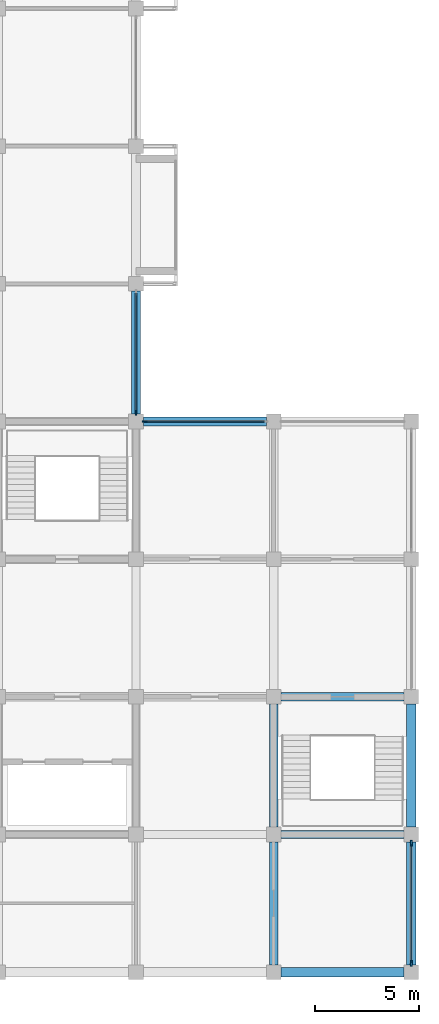
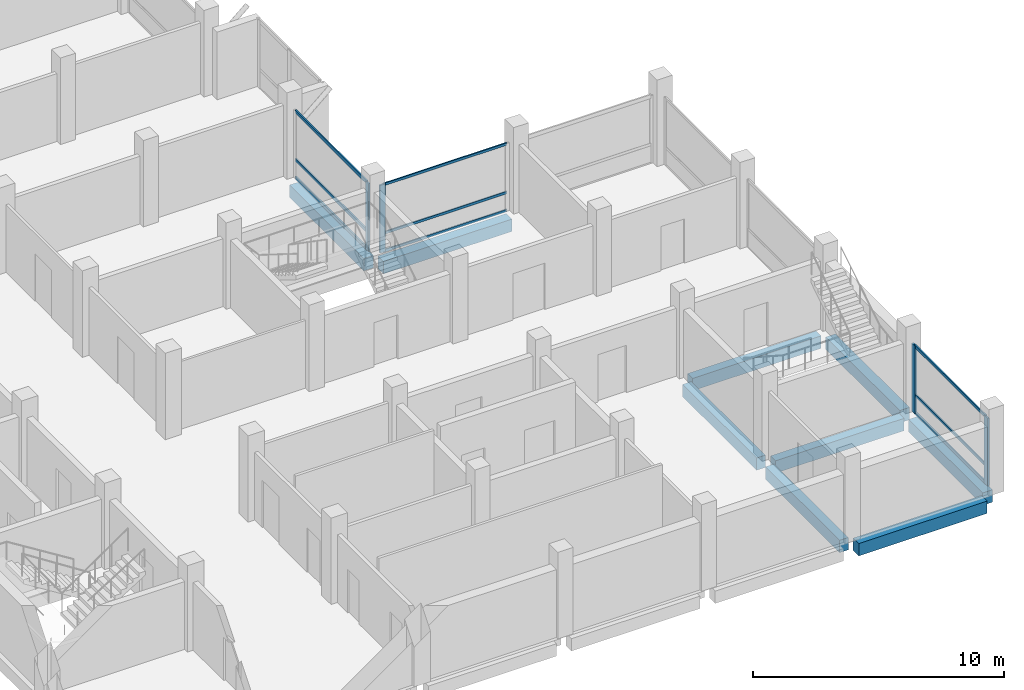
# One storey, part 2 of 10: 13 members, 9 beams, 3 elements without a shape of their own.
"""IFC4 building model written with IfcOpenShell, lengths in metres."""

import ifcopenshell
import ifcopenshell.guid

model = None  # the IFC model being written
_history = None  # IfcOwnerHistory: only IFC2X3 demands one
_inside = {}  # id of a spatial element -> (the spatial element, [elements in it])
_under = {}  # id of a project, library or spatial element -> (it, [spatial elements below it])
_declared = {}  # id of a project -> (the project, [libraries it declares])
_typed = {}  # id of a type object -> (the type object, [elements of that type])
_made_of = {}  # id of a material, layer set ... -> (it, [elements and type objects made of it])


def new_model(schema):
    """Start an empty IFC model of exactly this schema.

    Asked for "IFC4X3", IfcOpenShell would pick the latest addendum, in which some entities
    have other attributes; the version numbers below select the first issue.
    IFC2X3 requires an IfcOwnerHistory on every rooted entity: one is made here for all.
    """
    global model, _history
    if schema == "IFC4X3":
        model = ifcopenshell.file(schema_version=(4, 3, 0, 0))
    else:
        model = ifcopenshell.file(schema=schema)
    _inside.clear()
    _under.clear()
    _declared.clear()
    _typed.clear()
    _made_of.clear()
    _history = None
    if model.schema == "IFC2X3":
        org = make("IfcOrganization", Name="unknown")
        user = make(
            "IfcPersonAndOrganization",
            ThePerson=make("IfcPerson", FamilyName="unknown"),
            TheOrganization=org,
        )
        app = make(
            "IfcApplication",
            ApplicationDeveloper=org,
            Version="unknown",
            ApplicationFullName="unknown",
            ApplicationIdentifier="unknown",
        )
        _history = make(
            "IfcOwnerHistory",
            OwningUser=user,
            OwningApplication=app,
            ChangeAction="ADDED",
            CreationDate=0,
        )
    return model


def make(cls, **values):
    """One entity of the class cls with the attributes given. An attribute that is None is left unset."""
    return model.create_entity(
        cls, **{name: value for name, value in values.items() if value is not None}
    )


def rooted(cls, **values):
    """An entity with a GlobalId (a new one), such as an element, a storey or a relation."""
    return make(cls, GlobalId=ifcopenshell.guid.new(), OwnerHistory=_history, **values)


def si_unit(unit_type, name, prefix=None):
    """IfcSIUnit, for example si_unit("LENGTHUNIT", "METRE", prefix="MILLI")."""
    return make("IfcSIUnit", UnitType=unit_type, Prefix=prefix, Name=name)


def assignment(units):
    """IfcUnitAssignment: the units of a project."""
    return None if units is None else make("IfcUnitAssignment", Units=units)


def point(xyz):
    """IfcCartesianPoint."""
    return None if xyz is None else make("IfcCartesianPoint", Coordinates=xyz)


def direction(xyz):
    """IfcDirection."""
    return None if xyz is None else make("IfcDirection", DirectionRatios=xyz)


def frame(location, z_axis=None, x_axis=None):
    """IfcAxis2Placement3D, a coordinate frame: its origin and axes. An axis left out is left unset."""
    return make(
        "IfcAxis2Placement3D",
        Location=point(location),
        Axis=direction(z_axis),
        RefDirection=direction(x_axis),
    )


def frame_2d(location, x_axis=None):
    """IfcAxis2Placement2D, a coordinate frame in the plane: its origin and x axis."""
    return make(
        "IfcAxis2Placement2D", Location=point(location), RefDirection=direction(x_axis)
    )


def origin():
    """The frame at (0, 0, 0) with its axes left unset."""
    return frame((0.0, 0.0, 0.0))


def origin_2d():
    """The frame at (0, 0) in the plane with its x axis left unset."""
    return frame_2d((0.0, 0.0))


def place(relative_to, where):
    """IfcLocalPlacement: puts the frame where relative to a parent placement (None: the world)."""
    return make(
        "IfcLocalPlacement", PlacementRelTo=relative_to, RelativePlacement=where
    )


def context(
    kind, dimensions, precision=None, world=None, true_north=None, identifier=None
):
    """IfcGeometricRepresentationContext, for example the 3D "Model" context."""
    return make(
        "IfcGeometricRepresentationContext",
        ContextIdentifier=identifier,
        ContextType=kind,
        CoordinateSpaceDimension=dimensions,
        Precision=precision,
        WorldCoordinateSystem=world,
        TrueNorth=true_north,
    )


def subcontext(parent, identifier, kind, view, scale=None):
    """IfcGeometricRepresentationSubContext, for example "Body" below "Model"."""
    return make(
        "IfcGeometricRepresentationSubContext",
        ContextIdentifier=identifier,
        ContextType=kind,
        ParentContext=parent,
        TargetScale=scale,
        TargetView=view,
    )


def project(units=None, contexts=None):
    """IfcProject with its units and contexts."""
    return rooted(
        "IfcProject",
        Name="project",
        RepresentationContexts=contexts,
        UnitsInContext=assignment(units),
    )


def spatial(cls, under=None, at=None, **own):
    """A site, building, storey or space (cls), placed at a placement, below another one or the project."""
    s = rooted(cls, ObjectPlacement=at, **own)
    if under is not None:
        _under.setdefault(under.id(), (under, []))[1].append(s)
    return s


def profile(cls, at=None, kind="AREA", **sizes):
    """A parametric profile (cls). Its sizes go by their IFC names, for example OverallWidth=200.0."""
    return make(cls, ProfileType=kind, Position=at, **sizes)


def rectangle(**sizes):
    """IfcRectangleProfileDef."""
    return profile("IfcRectangleProfileDef", **sizes)


def extrude(swept, where, along, depth):
    """IfcExtrudedAreaSolid: the profile swept, set in the frame where, extruded along a direction by depth."""
    return make(
        "IfcExtrudedAreaSolid",
        SweptArea=swept,
        Position=where,
        ExtrudedDirection=direction(along),
        Depth=depth,
    )


def shape(context_of_items, identifier, shape_type, items):
    """IfcShapeRepresentation: the items that make up one representation, for example the "Body"."""
    return make(
        "IfcShapeRepresentation",
        ContextOfItems=context_of_items,
        RepresentationIdentifier=identifier,
        RepresentationType=shape_type,
        Items=items,
    )


def material(Name=None, Category=None):
    """IfcMaterial."""
    return make("IfcMaterial", Name=Name, Category=Category)


def material_profile(
    of_material, cross_section, Name=None, Category=None, Priority=None
):
    """IfcMaterialProfile: a cross section and its material."""
    return make(
        "IfcMaterialProfile",
        Name=Name,
        Material=of_material,
        Profile=cross_section,
        Priority=Priority,
        Category=Category,
    )


def profile_set(profiles, Name=None, composite=None):
    """IfcMaterialProfileSet."""
    return make(
        "IfcMaterialProfileSet",
        Name=Name,
        MaterialProfiles=profiles,
        CompositeProfile=composite,
    )


def made_of(thing, what):
    """Note that an element or type object is made of a material, layer set ...; save() writes the relation."""
    if what is not None:
        _made_of.setdefault(what.id(), (what, []))[1].append(thing)
    return thing


def type_object(cls, material=None, **own):
    """A type object (cls), such as IfcWallType, which elements share."""
    return made_of(rooted(cls, **own), material)


def element(
    cls,
    number,
    at=None,
    inside=None,
    cuts=None,
    type_object=None,
    material=None,
    context=None,
    identifier="Body",
    shape_type=None,
    held_by="IfcProductDefinitionShape",
    body=None,
    shapes=None,
    **own,
):
    """One element of the class cls, such as IfcWall. Its Tag is "e" and its number.

    at: its placement. inside: the storey or other place that contains it. cuts: it is an
    opening in that element (IfcRelVoidsElement). A single representation is given by context,
    identifier, shape_type and body (its items); several are given by shapes. held_by: the class
    of the entity that holds the representations. save() writes the other relations.
    """
    e = rooted(cls, Tag="e%d" % number, ObjectPlacement=at, **own)
    if body is not None:
        shapes = [shape(context, identifier, shape_type, body)]
    if shapes is not None:
        e.Representation = make(held_by, Representations=shapes)
    if inside is not None:
        _inside.setdefault(inside.id(), (inside, []))[1].append(e)
    if cuts is not None:
        rooted(
            "IfcRelVoidsElement", RelatingBuildingElement=cuts, RelatedOpeningElement=e
        )
    if type_object is not None:
        _typed.setdefault(type_object.id(), (type_object, []))[1].append(e)
    return made_of(e, material)


def aggregate(whole, parts):
    """IfcRelAggregates: a whole, such as a stair, and the parts it consists of."""
    return rooted("IfcRelAggregates", RelatingObject=whole, RelatedObjects=parts)


def save(model, path):
    """Write the relations noted so far, then the file.

    IfcRelAggregates (storeys below a building ...), IfcRelContainedInSpatialStructure (elements
    in a storey), IfcRelDefinesByType, IfcRelAssociatesMaterial and IfcRelDeclares: one each for
    every whole, place, type object, material and project.
    """
    for whole, parts in _under.values():
        aggregate(whole, parts)
    for where, things in _inside.values():
        rooted(
            "IfcRelContainedInSpatialStructure",
            RelatedElements=things,
            RelatingStructure=where,
        )
    for kind, things in _typed.values():
        rooted("IfcRelDefinesByType", RelatedObjects=things, RelatingType=kind)
    for what, things in _made_of.values():
        rooted("IfcRelAssociatesMaterial", RelatedObjects=things, RelatingMaterial=what)
    for by, libraries in _declared.values():
        rooted("IfcRelDeclares", RelatingContext=by, RelatedDefinitions=libraries)
    model.write(path)


model = new_model("IFC4")

# Units and contexts
model_context = context("Model", 3, precision=1e-05, world=origin(), true_north=direction((0.0, 1.0)))
body_context = subcontext(model_context, "Body", "Model", "MODEL_VIEW")
ifc_project = project(units=[si_unit("LENGTHUNIT", "METRE"), si_unit("AREAUNIT", "SQUARE_METRE"), si_unit("VOLUMEUNIT", "CUBIC_METRE"), si_unit("PLANEANGLEUNIT", "RADIAN"), si_unit("MASSUNIT", "GRAM", prefix="KILO")], contexts=[model_context])

# Site, building, storey
site_placement = place(None, origin())
site = spatial("IfcSite", under=ifc_project, at=site_placement, CompositionType="ELEMENT")
building_placement = place(site_placement, origin())
building = spatial("IfcBuilding", under=site, at=building_placement, Name="Rusizi Kubbe Research Institute", CompositionType="ELEMENT")
storey_placement = place(building_placement, frame((0.0, 0.0, 48.0)))
storey = spatial("IfcBuildingStorey", under=building, at=storey_placement, Name="L11", CompositionType="ELEMENT", Elevation=48.0)

# Beams
ifc_material_1 = material(Name="Concrete C40/50", Category="concrete")
ifc_material_profile_1 = material_profile(ifc_material_1, rectangle(XDim=0.39990234375, YDim=0.60009765625, at=origin_2d()), Name="RC400x600")
ifc_profile_set_1 = profile_set([ifc_material_profile_1], Name="Concrete C40/50")
beam_type_1 = type_object("IfcBeamType", Name="BM-RC400x600", PredefinedType="BEAM", material=ifc_profile_set_1)
for number, where, z_axis, x_axis, name in (
    (1, (33.35009765625, 6.60009765625, -0.610107421875), (1.0, 0.0, 0.0), (0.0, 1.0, 0.0), "Grid Beam H L11 (5,1)"),
    (2, (33.35009765625, 13.199951171875, -0.610107421875), (1.0, 0.0, 0.0), (0.0, 1.0, 0.0), "Grid Beam H L11 (5,2)"),
    (3, (33.0, 0.35009765625, -0.610107421875), (0.0, 1.0, 0.0), (-1.0, 0.0, 0.0), "Grid Beam V L11 (5,0)"),
):
    element("IfcBeam", number, at=place(storey_placement, frame(where, z_axis=z_axis, x_axis=x_axis)), inside=storey, type_object=beam_type_1, Name=name, PredefinedType="BEAM", context=body_context, shape_type="SweptSolid", body=[
        extrude(rectangle(XDim=0.39990234375, YDim=0.60009765625, at=origin_2d()), origin(), (0.0, 0.0, 1.0), 5.89990234375),
    ])
beam_1_placement = place(storey_placement, frame((33.0, 6.949951171875, -0.610107421875), z_axis=(0.0, 1.0, 0.0), x_axis=(-1.0, 0.0, 0.0)))
element("IfcBeam", 4, at=beam_1_placement, inside=storey, type_object=beam_type_1, Name="Grid Beam V L11 (5,1)", PredefinedType="BEAM", context=body_context, shape_type="SweptSolid", body=[
    extrude(rectangle(XDim=0.39990234375, YDim=0.60009765625, at=origin_2d()), origin(), (0.0, 0.0, 1.0), 5.900146484375),
])
ifc_material_2 = material(Name="Concrete C40/50", Category="concrete")
ifc_material_profile_2 = material_profile(ifc_material_2, rectangle(XDim=0.449951171875, YDim=0.60009765625, at=origin_2d()), Name="RC450x600")
ifc_profile_set_2 = profile_set([ifc_material_profile_2], Name="Concrete C40/50")
beam_type_2 = type_object("IfcBeamType", Name="BM-RC450x600", PredefinedType="SPANDREL", material=ifc_profile_set_2)
for number, where, z_axis, x_axis, name in (
    (5, (26.75, 26.39990234375, -0.610107421875), (1.0, 0.0, 0.0), (0.0, 1.0, 0.0), "Grid Beam H L11 (4,4)"),
    (6, (33.35009765625, 0.0, -0.610107421875), (1.0, 0.0, 0.0), (0.0, 1.0, 0.0), "Grid Beam H L11 (5,0)"),
    (7, (26.39990234375, 26.75, -0.610107421875), (0.0, 1.0, 0.0), (-1.0, 0.0, 0.0), "Grid Beam V L11 (4,4)"),
    (8, (39.60009765625, 0.35009765625, -0.610107421875), (0.0, 1.0, 0.0), (-1.0, 0.0, 0.0), "Grid Beam V L11 (6,0)"),
):
    element("IfcBeam", number, at=place(storey_placement, frame(where, z_axis=z_axis, x_axis=x_axis)), inside=storey, type_object=beam_type_2, Name=name, PredefinedType="SPANDREL", context=body_context, shape_type="SweptSolid", body=[
        extrude(rectangle(XDim=0.449951171875, YDim=0.60009765625, at=origin_2d()), origin(), (0.0, 0.0, 1.0), 5.89990234375),
    ])
beam_2_placement = place(storey_placement, frame((39.60009765625, 6.949951171875, -0.610107421875), z_axis=(0.0, 1.0, 0.0), x_axis=(-1.0, 0.0, 0.0)))
element("IfcBeam", 9, at=beam_2_placement, inside=storey, type_object=beam_type_2, Name="Grid Beam V L11 (6,1)", PredefinedType="SPANDREL", context=body_context, shape_type="SweptSolid", body=[
    extrude(rectangle(XDim=0.449951171875, YDim=0.60009765625, at=origin_2d()), origin(), (0.0, 0.0, 1.0), 5.900146484375),
])

# Curtain wall, member
ifc_material_3 = material(Name="Thermally Broken Aluminium and Low-E Glazing", Category="aluminium")
curtain_wall_type_1 = type_object("IfcCurtainWallType", Name="CW-13", PredefinedType="NOTDEFINED", material=ifc_material_3)
curtain_wall_1_placement = place(storey_placement, origin())
curtain_wall_1 = element("IfcCurtainWall", 10, at=curtain_wall_1_placement, inside=storey, type_object=curtain_wall_type_1, Name="Unitised Facade Curtain Wall CW-L11-V-04-04", PredefinedType="NOTDEFINED")
ifc_material_4 = material(Name="Aluminium Alloy 6063-T6", Category="aluminium")
ifc_material_profile_3 = material_profile(ifc_material_4, rectangle(XDim=0.074951171875, YDim=0.25, at=origin_2d()), Name="ALU-M 75x250")
ifc_profile_set_3 = profile_set([ifc_material_profile_3], Name="Aluminium Alloy 6063-T6")
member_type_1 = type_object("IfcMemberType", Name="ML-05", PredefinedType="MULLION", material=ifc_profile_set_3)
member_1_placement = place(storey_placement, frame((26.39990234375, 26.8173828125, 0.0), z_axis=(0.0, 0.0, 1.0), x_axis=(-1.0, 0.0, 0.0)))
member_1 = element("IfcMember", 11, at=member_1_placement, type_object=member_type_1, Name="CW-13 mullion 1", PredefinedType="MULLION", context=body_context, shape_type="SweptSolid", body=[
    extrude(rectangle(XDim=0.074951171875, YDim=0.25, at=origin_2d()), origin(), (0.0, 0.0, 1.0), 3.2900390625),
])

curtain_wall_2_placement = place(storey_placement, origin())
curtain_wall_2 = element("IfcCurtainWall", 12, at=curtain_wall_2_placement, inside=storey, type_object=curtain_wall_type_1, Name="Unitised Facade Curtain Wall CW-L11-H-04-04", PredefinedType="NOTDEFINED")
member_2_placement = place(storey_placement, frame((26.8173828125, 26.39990234375, 0.0), z_axis=(0.0, 0.0, 1.0), x_axis=(0.0, 1.0, 0.0)))
member_2 = element("IfcMember", 13, at=member_2_placement, type_object=member_type_1, Name="CW-13 mullion 1", PredefinedType="MULLION", context=body_context, shape_type="SweptSolid", body=[
    extrude(rectangle(XDim=0.074951171875, YDim=0.25, at=origin_2d()), origin(), (0.0, 0.0, 1.0), 3.2900390625),
])

# Curtain wall, members
ifc_material_5 = material(Name="Thermally Broken Aluminium and Low-E Glazing", Category="aluminium")
curtain_wall_type_2 = type_object("IfcCurtainWallType", Name="CW-12", PredefinedType="NOTDEFINED", material=ifc_material_5)
curtain_wall_3_placement = place(storey_placement, origin())
curtain_wall_3 = element("IfcCurtainWall", 14, at=curtain_wall_3_placement, inside=storey, type_object=curtain_wall_type_2, Name="Unitised Facade Curtain Wall CW-L11-V-06-00", PredefinedType="NOTDEFINED")
ifc_material_6 = material(Name="Aluminium Alloy 6063-T6", Category="aluminium")
ifc_material_profile_4 = material_profile(ifc_material_6, rectangle(XDim=0.080078125, YDim=0.280029296875, at=origin_2d()), Name="ALU-M 80x280")
ifc_profile_set_4 = profile_set([ifc_material_profile_4], Name="Aluminium Alloy 6063-T6")
member_type_2 = type_object("IfcMemberType", Name="ML-06", PredefinedType="MULLION", material=ifc_profile_set_4)
member_3_placement = place(storey_placement, frame((39.60009765625, 0.419921875, 0.0), z_axis=(0.0, 0.0, 1.0), x_axis=(-1.0, 0.0, 0.0)))
member_3 = element("IfcMember", 15, at=member_3_placement, type_object=member_type_2, Name="CW-12 mullion 1", PredefinedType="MULLION", context=body_context, shape_type="SweptSolid", body=[
    extrude(rectangle(XDim=0.080078125, YDim=0.280029296875, at=origin_2d()), origin(), (0.0, 0.0, 1.0), 3.2900390625),
])
member_4_placement = place(storey_placement, frame((39.60009765625, 6.179931640625, 0.0), z_axis=(0.0, 0.0, 1.0), x_axis=(-1.0, 0.0, 0.0)))
member_4 = element("IfcMember", 16, at=member_4_placement, type_object=member_type_2, Name="CW-12 mullion 2", PredefinedType="MULLION", context=body_context, shape_type="SweptSolid", body=[
    extrude(rectangle(XDim=0.080078125, YDim=0.280029296875, at=origin_2d()), origin(), (0.0, 0.0, 1.0), 3.2900390625),
])

# Member
ifc_material_7 = material(Name="Aluminium Alloy 6063-T6", Category="aluminium")
ifc_material_profile_5 = material_profile(ifc_material_7, rectangle(XDim=0.06005859375, YDim=0.1201171875, at=origin_2d()), Name="ALU-T 60x120")
ifc_profile_set_5 = profile_set([ifc_material_profile_5], Name="Aluminium Alloy 6063-T6")
member_type_3 = type_object("IfcMemberType", Name="TR-01", PredefinedType="USERDEFINED", material=ifc_profile_set_5)
member_5_placement = place(storey_placement, frame((26.85498046875, 26.39990234375, 0.030029296875), z_axis=(1.0, 0.0, 0.0), x_axis=(0.0, 1.0, 0.0)))
member_5 = element("IfcMember", 17, at=member_5_placement, type_object=member_type_3, Name="CW-13 transom 1.1", ObjectType="TRANSOM", PredefinedType="USERDEFINED", context=body_context, shape_type="SweptSolid", body=[
    extrude(rectangle(XDim=0.06005859375, YDim=0.1201171875, at=origin_2d()), origin(), (0.0, 0.0, 1.0), 5.68994140625),
])

member_6_placement = place(storey_placement, frame((26.85498046875, 26.39990234375, 0.89990234375), z_axis=(1.0, 0.0, 0.0), x_axis=(0.0, 1.0, 0.0)))
member_6 = element("IfcMember", 18, at=member_6_placement, type_object=member_type_3, Name="CW-13 transom 1.2", ObjectType="TRANSOM", PredefinedType="USERDEFINED", context=body_context, shape_type="SweptSolid", body=[
    extrude(rectangle(XDim=0.06005859375, YDim=0.1201171875, at=origin_2d()), origin(), (0.0, 0.0, 1.0), 5.68994140625),
])

member_7_placement = place(storey_placement, frame((26.85498046875, 26.39990234375, 3.260009765625), z_axis=(1.0, 0.0, 0.0), x_axis=(0.0, 1.0, 0.0)))
member_7 = element("IfcMember", 19, at=member_7_placement, type_object=member_type_3, Name="CW-13 transom 1.3", ObjectType="TRANSOM", PredefinedType="USERDEFINED", context=body_context, shape_type="SweptSolid", body=[
    extrude(rectangle(XDim=0.06005859375, YDim=0.1201171875, at=origin_2d()), origin(), (0.0, 0.0, 1.0), 5.68994140625),
])

aggregate(curtain_wall_2, [member_2, member_5, member_6, member_7])

ifc_material_8 = material(Name="Aluminium Alloy 6063-T6", Category="aluminium")
ifc_material_profile_6 = material_profile(ifc_material_8, rectangle(XDim=0.06005859375, YDim=0.139892578125, at=origin_2d()), Name="ALU-T 60x140")
ifc_profile_set_6 = profile_set([ifc_material_profile_6], Name="Aluminium Alloy 6063-T6")
member_type_4 = type_object("IfcMemberType", Name="TR-02", PredefinedType="USERDEFINED", material=ifc_profile_set_6)
member_8_placement = place(storey_placement, frame((39.60009765625, 0.4599609375, 0.030029296875), z_axis=(0.0, 1.0, 0.0), x_axis=(-1.0, 0.0, 0.0)))
member_8 = element("IfcMember", 20, at=member_8_placement, type_object=member_type_4, Name="CW-12 transom 1.1", ObjectType="TRANSOM", PredefinedType="USERDEFINED", context=body_context, shape_type="SweptSolid", body=[
    extrude(rectangle(XDim=0.06005859375, YDim=0.139892578125, at=origin_2d()), origin(), (0.0, 0.0, 1.0), 5.679931640625),
])

member_9_placement = place(storey_placement, frame((39.60009765625, 0.4599609375, 0.89990234375), z_axis=(0.0, 1.0, 0.0), x_axis=(-1.0, 0.0, 0.0)))
member_9 = element("IfcMember", 21, at=member_9_placement, type_object=member_type_4, Name="CW-12 transom 1.2", ObjectType="TRANSOM", PredefinedType="USERDEFINED", context=body_context, shape_type="SweptSolid", body=[
    extrude(rectangle(XDim=0.06005859375, YDim=0.139892578125, at=origin_2d()), origin(), (0.0, 0.0, 1.0), 5.679931640625),
])

member_10_placement = place(storey_placement, frame((39.60009765625, 0.4599609375, 3.260009765625), z_axis=(0.0, 1.0, 0.0), x_axis=(-1.0, 0.0, 0.0)))
member_10 = element("IfcMember", 22, at=member_10_placement, type_object=member_type_4, Name="CW-12 transom 1.3", ObjectType="TRANSOM", PredefinedType="USERDEFINED", context=body_context, shape_type="SweptSolid", body=[
    extrude(rectangle(XDim=0.06005859375, YDim=0.139892578125, at=origin_2d()), origin(), (0.0, 0.0, 1.0), 5.679931640625),
])

aggregate(curtain_wall_3, [member_3, member_4, member_8, member_9, member_10])

ifc_material_9 = material(Name="Aluminium Alloy 6063-T6", Category="aluminium")
ifc_material_profile_7 = material_profile(ifc_material_9, rectangle(XDim=0.06494140625, YDim=0.159912109375, at=origin_2d()), Name="ALU-T 65x160")
ifc_profile_set_7 = profile_set([ifc_material_profile_7], Name="Aluminium Alloy 6063-T6")
member_type_5 = type_object("IfcMemberType", Name="TR-03", PredefinedType="USERDEFINED", material=ifc_profile_set_7)
member_11_placement = place(storey_placement, frame((26.39990234375, 26.85498046875, 0.032470703125), z_axis=(0.0, 1.0, 0.0), x_axis=(-1.0, 0.0, 0.0)))
member_11 = element("IfcMember", 23, at=member_11_placement, type_object=member_type_5, Name="CW-13 transom 1.1", ObjectType="TRANSOM", PredefinedType="USERDEFINED", context=body_context, shape_type="SweptSolid", body=[
    extrude(rectangle(XDim=0.06494140625, YDim=0.159912109375, at=origin_2d()), origin(), (0.0, 0.0, 1.0), 5.68994140625),
])

member_12_placement = place(storey_placement, frame((26.39990234375, 26.85498046875, 0.89990234375), z_axis=(0.0, 1.0, 0.0), x_axis=(-1.0, 0.0, 0.0)))
member_12 = element("IfcMember", 24, at=member_12_placement, type_object=member_type_5, Name="CW-13 transom 1.2", ObjectType="TRANSOM", PredefinedType="USERDEFINED", context=body_context, shape_type="SweptSolid", body=[
    extrude(rectangle(XDim=0.06494140625, YDim=0.159912109375, at=origin_2d()), origin(), (0.0, 0.0, 1.0), 5.68994140625),
])

member_13_placement = place(storey_placement, frame((26.39990234375, 26.85498046875, 3.257568359375), z_axis=(0.0, 1.0, 0.0), x_axis=(-1.0, 0.0, 0.0)))
member_13 = element("IfcMember", 25, at=member_13_placement, type_object=member_type_5, Name="CW-13 transom 1.3", ObjectType="TRANSOM", PredefinedType="USERDEFINED", context=body_context, shape_type="SweptSolid", body=[
    extrude(rectangle(XDim=0.06494140625, YDim=0.159912109375, at=origin_2d()), origin(), (0.0, 0.0, 1.0), 5.68994140625),
])

aggregate(curtain_wall_1, [member_1, member_11, member_12, member_13])

save(model, "model.ifc")
